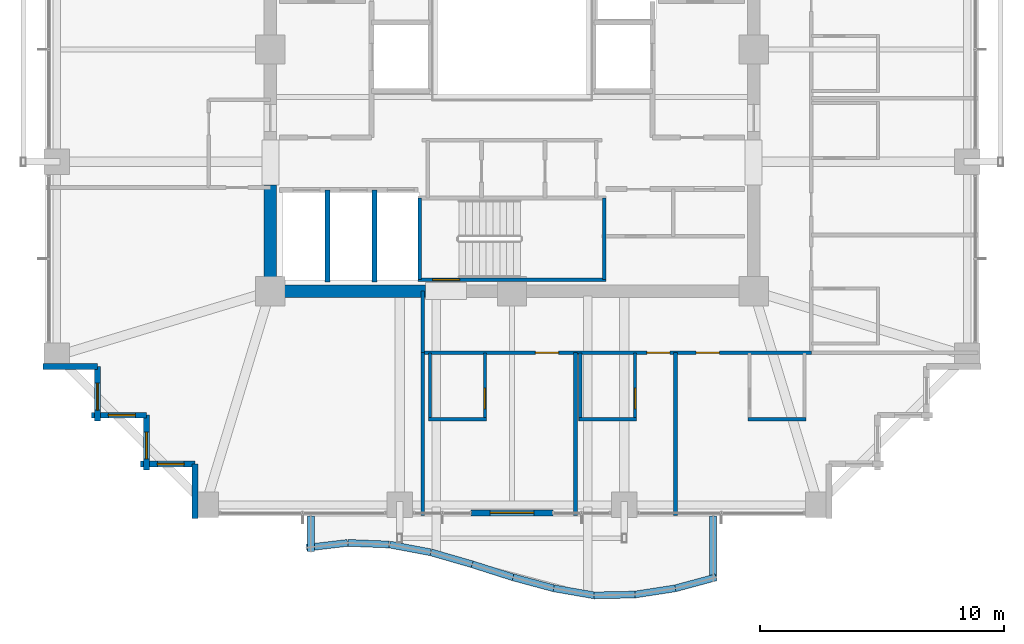
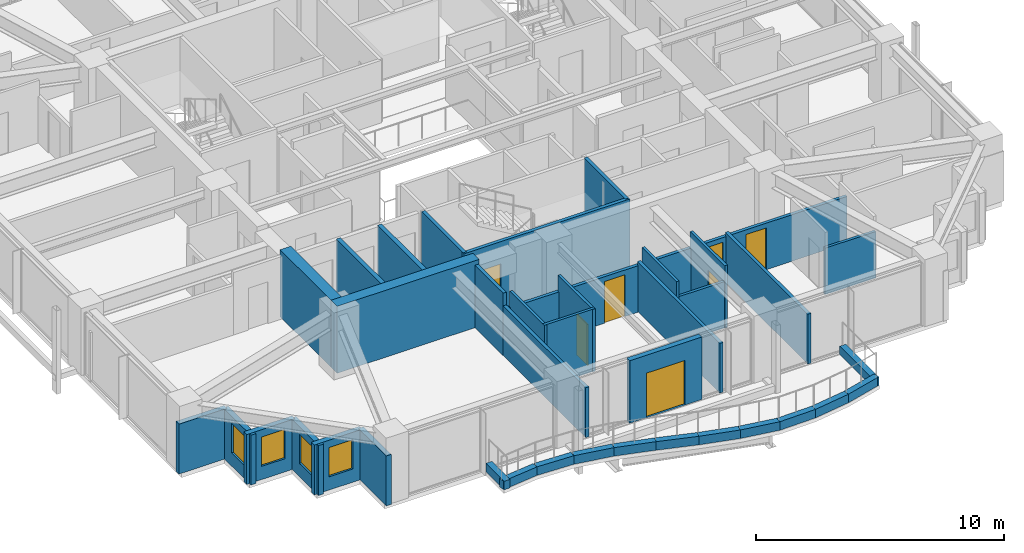
# One storey, part 27 of 34: 38 walls, 7 doors, 4 windows, 11 openings.
"""IFC4 building model written with IfcOpenShell, lengths in metres."""

from ifc_helpers import new_model, si_unit, direction, frame, frame_2d, origin, place, context, subcontext, project, spatial, rectangle, extrude, material, layer, layer_set, type_object, element, fill, save


model = new_model("IFC4")

# Units and contexts
model_context = context("Model", 3, precision=1e-05, world=origin(), true_north=direction((0.0, 1.0)))
body_context = subcontext(model_context, "Body", "Model", "MODEL_VIEW")
ifc_project = project(units=[si_unit("LENGTHUNIT", "METRE"), si_unit("AREAUNIT", "SQUARE_METRE"), si_unit("VOLUMEUNIT", "CUBIC_METRE"), si_unit("PLANEANGLEUNIT", "RADIAN"), si_unit("MASSUNIT", "GRAM", prefix="KILO")], contexts=[model_context])

# Site, building, storey
site_placement = place(None, origin())
site = spatial("IfcSite", under=ifc_project, at=site_placement, CompositionType="ELEMENT")
building_placement = place(site_placement, origin())
building = spatial("IfcBuilding", under=site, at=building_placement, Name="Kolvaren Belvedere", CompositionType="ELEMENT")
storey_placement = place(building_placement, frame((0.0, 0.0, 111.800048828125)))
storey = spatial("IfcBuildingStorey", under=building, at=storey_placement, Name="L32", CompositionType="ELEMENT", Elevation=111.800048828125)

# Walls
ifc_material_1 = material(Name="Concrete C50/60", Category="concrete")
ifc_layer_1 = layer(ifc_material_1, 0.5)
ifc_layer_set_1 = layer_set([ifc_layer_1], Name="Concrete C50/60")
wall_type_1 = type_object("IfcWallType", Name="CW-CORE-500", PredefinedType="SHEAR", material=ifc_layer_set_1)
wall_1_placement = place(storey_placement, frame((-3.5400390625, -9.89990234375, 0.0), z_axis=(0.0, 0.0, 1.0), x_axis=(-1.0, 0.0, 0.0)))
element("IfcWall", 1, at=wall_1_placement, inside=storey, type_object=wall_type_1, Name="L32 South Core Shear Wall 2", PredefinedType="SHEAR", context=body_context, shape_type="SweptSolid", body=[
    extrude(rectangle(XDim=6.60986328125, YDim=0.5, at=frame_2d((3.304931640625, 0.0))), origin(), (0.0, 0.0, 1.0), 3.300048828125),
])
wall_2_placement = place(storey_placement, frame((-9.89990234375, -9.64990234375, 0.0), z_axis=(0.0, 0.0, 1.0), x_axis=(0.0, 1.0, 0.0)))
element("IfcWall", 2, at=wall_2_placement, inside=storey, type_object=wall_type_1, Name="L32 West Core Shear Wall 1", PredefinedType="SHEAR", context=body_context, shape_type="SweptSolid", body=[
    extrude(rectangle(XDim=4.099853515625, YDim=0.5, at=frame_2d((2.0498046875, 0.0))), origin(), (0.0, 0.0, 1.0), 3.300048828125),
])

# Wall, opening, door
ifc_material_2 = material(Name="Concrete C50/60", Category="concrete")
ifc_layer_2 = layer(ifc_material_2, 0.159912109375)
ifc_layer_set_2 = layer_set([ifc_layer_2], Name="Concrete C50/60")
wall_type_2 = type_object("IfcWallType", Name="CW-STAIR-160", PredefinedType="SHEAR", material=ifc_layer_set_2)
wall_3_placement = place(storey_placement, frame((3.860107421875, -9.429931640625, 0.0), z_axis=(0.0, 0.0, 1.0), x_axis=(-1.0, 0.0, 0.0)))
wall_3 = element("IfcWall", 3, at=wall_3_placement, inside=storey, type_object=wall_type_2, Name="L32 Stair ST-3 South Shear Wall", PredefinedType="SHEAR", context=body_context, shape_type="SweptSolid", body=[
    extrude(rectangle(XDim=7.72021484375, YDim=0.159912109375, at=frame_2d((3.860107421875, 0.0))), origin(), (0.0, 0.0, 1.0), 3.300048828125),
])
opening_1_placement = place(wall_3_placement, frame((6.010009765625, 0.0, 0.0)))
opening_1 = element("IfcOpeningElement", 4, at=opening_1_placement, cuts=wall_3, Name="Opening D-FD90", PredefinedType="OPENING", context=body_context, shape_type="SweptSolid", body=[
    extrude(rectangle(XDim=1.10009765625, YDim=2.199951171875, at=frame_2d((0.550048828125, 1.10009765625))), frame((0.0, 0.08984375, 0.0), z_axis=(0.0, -1.0, 0.0), x_axis=(1.0, 0.0, 0.0)), (0.0, 0.0, 1.0), 0.179931640625),
])
ifc_material_3 = material(Name="Painted hollow stainless steel", Category="steel")
door_type_1 = type_object("IfcDoorType", Name="DR-FD90-1100", OperationType="NOTDEFINED", PredefinedType="DOOR", material=ifc_material_3)
door_1_placement = place(opening_1_placement, origin())
door_1 = element("IfcDoor", 5, at=door_1_placement, inside=storey, type_object=door_type_1, Name="L32 Stair ST-3 Exit Door", OperationType="SINGLE_SWING_RIGHT", OverallHeight=2.199951171875, OverallWidth=1.10009765625, PredefinedType="DOOR", context=body_context, shape_type="SweptSolid", body=[
    extrude(rectangle(XDim=1.10009765625, YDim=2.199951171875, at=frame_2d((0.550048828125, 1.10009765625))), frame((0.0, 0.02490234375, 0.0), z_axis=(0.0, -1.0, 0.0), x_axis=(1.0, 0.0, 0.0)), (0.0, 0.0, 1.0), 0.050048828125),
])
fill(opening_1, door_1)

# Walls
for number, where, z_axis, x_axis, name in (
    (6, (-3.780029296875, -9.429931640625, 0.0), (0.0, 0.0, 1.0), (0.0, 1.0, 0.0), "L32 Stair ST-3 West Shear Wall"),
    (7, (3.780029296875, -9.429931640625, 0.0), (0.0, 0.0, 1.0), (0.0, 1.0, 0.0), "L32 Stair ST-3 East Shear Wall"),
):
    element("IfcWall", number, at=place(storey_placement, frame(where, z_axis=z_axis, x_axis=x_axis)), inside=storey, type_object=wall_type_2, Name=name, PredefinedType="SHEAR", context=body_context, shape_type="SweptSolid", body=[
        extrude(rectangle(XDim=3.349853515625, YDim=0.159912109375, at=frame_2d((1.6748046875, 0.0))), origin(), (0.0, 0.0, 1.0), 3.300048828125),
    ])

# Wall, openings, doors
ifc_material_4 = material(Name="Gypsum fire-rated partition assembly", Category="gypsum")
ifc_layer_3 = layer(ifc_material_4, 0.14990234375)
ifc_layer_set_3 = layer_set([ifc_layer_3], Name="Gypsum fire-rated partition assembly")
wall_type_3 = type_object("IfcWallType", Name="WL-CORR-150", PredefinedType="PARTITIONING", material=ifc_layer_set_3)
wall_4_placement = place(storey_placement, frame((-3.64990234375, -12.419921875, 0.0), z_axis=(0.0, 0.0, 1.0), x_axis=(1.0, 0.0, 0.0)))
wall_4 = element("IfcWall", 8, at=wall_4_placement, inside=storey, type_object=wall_type_3, Name="L32 South-East Corridor Wall", PredefinedType="PARTITIONING", context=body_context, shape_type="SweptSolid", body=[
    extrude(rectangle(XDim=15.909912109375, YDim=0.14990234375, at=frame_2d((7.955078125, 0.0))), origin(), (0.0, 0.0, 1.0), 2.2919921875),
])
opening_2_placement = place(wall_4_placement, frame((4.61181640625, 0.0, 0.0)))
opening_2 = element("IfcOpeningElement", 9, at=opening_2_placement, cuts=wall_4, Name="Opening D-FD60", PredefinedType="OPENING", context=body_context, shape_type="SweptSolid", body=[
    extrude(rectangle(XDim=0.949951171875, YDim=2.06005859375, at=frame_2d((0.47509765625, 1.030029296875))), frame((0.0, 0.0849609375, 0.0), z_axis=(0.0, -1.0, 0.0), x_axis=(1.0, 0.0, 0.0)), (0.0, 0.0, 1.0), 0.169921875),
])
opening_3_placement = place(wall_4_placement, frame((9.17041015625, 0.0, 0.0)))
opening_3 = element("IfcOpeningElement", 10, at=opening_3_placement, cuts=wall_4, Name="Opening D-FD60", PredefinedType="OPENING", context=body_context, shape_type="SweptSolid", body=[
    extrude(rectangle(XDim=0.949951171875, YDim=2.06005859375, at=frame_2d((0.47509765625, 1.030029296875))), frame((0.0, 0.0849609375, 0.0), z_axis=(0.0, -1.0, 0.0), x_axis=(1.0, 0.0, 0.0)), (0.0, 0.0, 1.0), 0.169921875),
])
opening_4_placement = place(wall_4_placement, frame((11.191650390625, 0.0, 0.0)))
opening_4 = element("IfcOpeningElement", 11, at=opening_4_placement, cuts=wall_4, Name="Opening D-FD60", PredefinedType="OPENING", context=body_context, shape_type="SweptSolid", body=[
    extrude(rectangle(XDim=0.949951171875, YDim=2.06005859375, at=frame_2d((0.47509765625, 1.030029296875))), frame((0.0, 0.0849609375, 0.0), z_axis=(0.0, -1.0, 0.0), x_axis=(1.0, 0.0, 0.0)), (0.0, 0.0, 1.0), 0.169921875),
])
ifc_material_5 = material(Name="Acoustic white-oak fire door leaf", Category="timber")
door_type_2 = type_object("IfcDoorType", Name="DR-FD60-950", OperationType="NOTDEFINED", PredefinedType="DOOR", material=ifc_material_5)
door_2_placement = place(opening_2_placement, origin())
door_2 = element("IfcDoor", 12, at=door_2_placement, inside=storey, type_object=door_type_2, Name="L32 King Guest Room 3213 Entry Door", OperationType="SINGLE_SWING_RIGHT", OverallHeight=2.06005859375, OverallWidth=0.949951171875, PredefinedType="DOOR", context=body_context, shape_type="SweptSolid", body=[
    extrude(rectangle(XDim=0.949951171875, YDim=2.06005859375, at=frame_2d((0.47509765625, 1.030029296875))), frame((0.0, 0.02490234375, 0.0), z_axis=(0.0, -1.0, 0.0), x_axis=(1.0, 0.0, 0.0)), (0.0, 0.0, 1.0), 0.050048828125),
])
fill(opening_2, door_2)
door_3_placement = place(opening_3_placement, origin())
door_3 = element("IfcDoor", 13, at=door_3_placement, inside=storey, type_object=door_type_2, Name="L32 King Guest Room 3214 Entry Door", OperationType="SINGLE_SWING_RIGHT", OverallHeight=2.06005859375, OverallWidth=0.949951171875, PredefinedType="DOOR", context=body_context, shape_type="SweptSolid", body=[
    extrude(rectangle(XDim=0.949951171875, YDim=2.06005859375, at=frame_2d((0.47509765625, 1.030029296875))), frame((0.0, 0.02490234375, 0.0), z_axis=(0.0, -1.0, 0.0), x_axis=(1.0, 0.0, 0.0)), (0.0, 0.0, 1.0), 0.050048828125),
])
fill(opening_3, door_3)
door_4_placement = place(opening_4_placement, origin())
door_4 = element("IfcDoor", 14, at=door_4_placement, inside=storey, type_object=door_type_2, Name="L32 Botanical Hospitality Suite 3215 Entry Door", OperationType="SINGLE_SWING_RIGHT", OverallHeight=2.06005859375, OverallWidth=0.949951171875, PredefinedType="DOOR", context=body_context, shape_type="SweptSolid", body=[
    extrude(rectangle(XDim=0.949951171875, YDim=2.06005859375, at=frame_2d((0.47509765625, 1.030029296875))), frame((0.0, 0.02490234375, 0.0), z_axis=(0.0, -1.0, 0.0), x_axis=(1.0, 0.0, 0.0)), (0.0, 0.0, 1.0), 0.050048828125),
])
fill(opening_4, door_4)

# Wall
wall_5_placement = place(storey_placement, frame((-3.64990234375, -12.419921875, 0.0), z_axis=(0.0, 0.0, 1.0), x_axis=(0.0, 1.0, 0.0)))
element("IfcWall", 15, at=wall_5_placement, inside=storey, type_object=wall_type_3, Name="L32 South Spur West Closure Wall", PredefinedType="PARTITIONING", context=body_context, shape_type="SweptSolid", body=[
    extrude(rectangle(XDim=2.52001953125, YDim=0.14990234375, at=frame_2d((1.260009765625, 0.0))), origin(), (0.0, 0.0, 1.0), 3.079833984375),
])

# Wall, opening, door
ifc_material_6 = material(Name="Insulated pale-metal facade wall assembly", Category="aluminium")
ifc_layer_4 = layer(ifc_material_6, 0.239990234375)
ifc_layer_set_4 = layer_set([ifc_layer_4], Name="Insulated pale-metal facade wall assembly")
wall_type_4 = type_object("IfcWallType", Name="WL-EXT-240", PredefinedType="STANDARD", material=ifc_layer_set_4)
wall_6_placement = place(storey_placement, frame((1.679931640625, -18.97998046875, 0.0), z_axis=(0.0, 0.0, 1.0), x_axis=(-1.0, 0.0, 0.0)))
wall_6 = element("IfcWall", 16, at=wall_6_placement, inside=storey, type_object=wall_type_4, Name="L32 South Terrace Portal Wall", PredefinedType="STANDARD", context=body_context, shape_type="SweptSolid", body=[
    extrude(rectangle(XDim=3.35986328125, YDim=0.239990234375, at=frame_2d((1.679931640625, 0.0))), origin(), (0.0, 0.0, 1.0), 3.079833984375),
])
opening_5_placement = place(wall_6_placement, frame((0.780029296875, 0.0, 0.0)))
opening_5 = element("IfcOpeningElement", 17, at=opening_5_placement, cuts=wall_6, Name="Opening DB-1800", PredefinedType="OPENING", context=body_context, shape_type="SweptSolid", body=[
    extrude(rectangle(XDim=1.800048828125, YDim=2.199951171875, at=frame_2d((0.89990234375, 1.10009765625))), frame((0.0, 0.1298828125, 0.0), z_axis=(0.0, -1.0, 0.0), x_axis=(1.0, 0.0, 0.0)), (0.0, 0.0, 1.0), 0.260009765625),
])
ifc_material_7 = material(Name="Thermally broken pale-metal aluminium & low-iron glass", Category="aluminium")
door_type_3 = type_object("IfcDoorType", Name="DR-BAL-1800", OperationType="DOUBLE_DOOR_SLIDING", PredefinedType="DOOR", material=ifc_material_7)
door_5_placement = place(opening_5_placement, origin())
door_5 = element("IfcDoor", 18, at=door_5_placement, inside=storey, type_object=door_type_3, Name="L32 South Planted Terrace Sliding Door", OperationType="DOUBLE_DOOR_SLIDING", OverallHeight=2.199951171875, OverallWidth=1.800048828125, PredefinedType="DOOR", context=body_context, shape_type="SweptSolid", body=[
    extrude(rectangle(XDim=1.800048828125, YDim=2.199951171875, at=frame_2d((0.89990234375, 1.10009765625))), frame((0.0, 0.02490234375, 0.0), z_axis=(0.0, -1.0, 0.0), x_axis=(1.0, 0.0, 0.0)), (0.0, 0.0, 1.0), 0.050048828125),
])
fill(opening_5, door_5)

# Wall
wall_7_placement = place(storey_placement, frame((-16.97998046875, -12.97998046875, 0.0), z_axis=(0.0, 0.0, 1.0), x_axis=(-1.0, 0.0, 0.0)))
element("IfcWall", 19, at=wall_7_placement, inside=storey, type_object=wall_type_4, Name="L32 Serrated Corner Facade Wall 23", PredefinedType="STANDARD", context=body_context, shape_type="SweptSolid", body=[
    extrude(rectangle(XDim=2.239990234375, YDim=0.239990234375, at=frame_2d((1.1201171875, 0.0))), origin(), (0.0, 0.0, 1.0), 2.458984375),
])

# Wall, opening, window
wall_8_placement = place(storey_placement, frame((-16.97998046875, -15.219970703125, 0.0), z_axis=(0.0, 0.0, 1.0), x_axis=(0.0, 1.0, 0.0)))
wall_8 = element("IfcWall", 20, at=wall_8_placement, inside=storey, type_object=wall_type_4, Name="L32 Serrated Corner Facade Wall 24", PredefinedType="STANDARD", context=body_context, shape_type="SweptSolid", body=[
    extrude(rectangle(XDim=2.239990234375, YDim=0.239990234375, at=frame_2d((1.1201171875, 0.0))), origin(), (0.0, 0.0, 1.0), 2.458984375),
])
opening_6_placement = place(wall_8_placement, frame((0.449951171875, 0.0, 0.64990234375)))
opening_6 = element("IfcOpeningElement", 21, at=opening_6_placement, cuts=wall_8, Name="Opening W-1100", PredefinedType="OPENING", context=body_context, shape_type="SweptSolid", body=[
    extrude(rectangle(XDim=1.10009765625, YDim=1.449951171875, at=frame_2d((0.550048828125, 0.72509765625))), frame((0.0, 0.1298828125, 0.0), z_axis=(0.0, -1.0, 0.0), x_axis=(1.0, 0.0, 0.0)), (0.0, 0.0, 1.0), 0.260009765625),
])
ifc_material_8 = material(Name="Low-iron triple insulated glass", Category="glass")
window_type = type_object("IfcWindowType", Name="WN-CORN-1100", PartitioningType="SINGLE_PANEL", PredefinedType="WINDOW", material=ifc_material_8)
window_1_placement = place(opening_6_placement, origin())
window_1 = element("IfcWindow", 22, at=window_1_placement, inside=storey, type_object=window_type, Name="L32 Serrated Corner Vision Window 24", OverallHeight=1.449951171875, OverallWidth=1.10009765625, PartitioningType="SINGLE_PANEL", PredefinedType="WINDOW", context=body_context, shape_type="SweptSolid", body=[
    extrude(rectangle(XDim=1.10009765625, YDim=1.449951171875, at=frame_2d((0.550048828125, 0.72509765625))), frame((0.0, 0.030029296875, 0.0), z_axis=(0.0, -1.0, 0.0), x_axis=(1.0, 0.0, 0.0)), (0.0, 0.0, 1.0), 0.06005859375),
])
fill(opening_6, window_1)

wall_9_placement = place(storey_placement, frame((-14.97998046875, -14.97998046875, 0.0), z_axis=(0.0, 0.0, 1.0), x_axis=(-1.0, 0.0, 0.0)))
wall_9 = element("IfcWall", 23, at=wall_9_placement, inside=storey, type_object=wall_type_4, Name="L32 Serrated Corner Facade Wall 25", PredefinedType="STANDARD", context=body_context, shape_type="SweptSolid", body=[
    extrude(rectangle(XDim=2.239990234375, YDim=0.239990234375, at=frame_2d((1.1201171875, 0.0))), origin(), (0.0, 0.0, 1.0), 2.458984375),
])
opening_7_placement = place(wall_9_placement, frame((0.449951171875, 0.0, 0.64990234375)))
opening_7 = element("IfcOpeningElement", 24, at=opening_7_placement, cuts=wall_9, Name="Opening W-1100", PredefinedType="OPENING", context=body_context, shape_type="SweptSolid", body=[
    extrude(rectangle(XDim=1.10009765625, YDim=1.449951171875, at=frame_2d((0.550048828125, 0.72509765625))), frame((0.0, 0.1298828125, 0.0), z_axis=(0.0, -1.0, 0.0), x_axis=(1.0, 0.0, 0.0)), (0.0, 0.0, 1.0), 0.260009765625),
])
window_2_placement = place(opening_7_placement, origin())
window_2 = element("IfcWindow", 25, at=window_2_placement, inside=storey, type_object=window_type, Name="L32 Serrated Corner Vision Window 25", OverallHeight=1.449951171875, OverallWidth=1.10009765625, PartitioningType="SINGLE_PANEL", PredefinedType="WINDOW", context=body_context, shape_type="SweptSolid", body=[
    extrude(rectangle(XDim=1.10009765625, YDim=1.449951171875, at=frame_2d((0.550048828125, 0.72509765625))), frame((0.0, 0.030029296875, 0.0), z_axis=(0.0, -1.0, 0.0), x_axis=(1.0, 0.0, 0.0)), (0.0, 0.0, 1.0), 0.06005859375),
])
fill(opening_7, window_2)

wall_10_placement = place(storey_placement, frame((-14.97998046875, -17.219970703125, 0.0), z_axis=(0.0, 0.0, 1.0), x_axis=(0.0, 1.0, 0.0)))
wall_10 = element("IfcWall", 26, at=wall_10_placement, inside=storey, type_object=wall_type_4, Name="L32 Serrated Corner Facade Wall 26", PredefinedType="STANDARD", context=body_context, shape_type="SweptSolid", body=[
    extrude(rectangle(XDim=2.239990234375, YDim=0.239990234375, at=frame_2d((1.1201171875, 0.0))), origin(), (0.0, 0.0, 1.0), 2.458984375),
])
opening_8_placement = place(wall_10_placement, frame((0.449951171875, 0.0, 0.64990234375)))
opening_8 = element("IfcOpeningElement", 27, at=opening_8_placement, cuts=wall_10, Name="Opening W-1100", PredefinedType="OPENING", context=body_context, shape_type="SweptSolid", body=[
    extrude(rectangle(XDim=1.10009765625, YDim=1.449951171875, at=frame_2d((0.550048828125, 0.72509765625))), frame((0.0, 0.1298828125, 0.0), z_axis=(0.0, -1.0, 0.0), x_axis=(1.0, 0.0, 0.0)), (0.0, 0.0, 1.0), 0.260009765625),
])
window_3_placement = place(opening_8_placement, origin())
window_3 = element("IfcWindow", 28, at=window_3_placement, inside=storey, type_object=window_type, Name="L32 Serrated Corner Vision Window 26", OverallHeight=1.449951171875, OverallWidth=1.10009765625, PartitioningType="SINGLE_PANEL", PredefinedType="WINDOW", context=body_context, shape_type="SweptSolid", body=[
    extrude(rectangle(XDim=1.10009765625, YDim=1.449951171875, at=frame_2d((0.550048828125, 0.72509765625))), frame((0.0, 0.030029296875, 0.0), z_axis=(0.0, -1.0, 0.0), x_axis=(1.0, 0.0, 0.0)), (0.0, 0.0, 1.0), 0.06005859375),
])
fill(opening_8, window_3)

wall_11_placement = place(storey_placement, frame((-12.97998046875, -16.97998046875, 0.0), z_axis=(0.0, 0.0, 1.0), x_axis=(-1.0, 0.0, 0.0)))
wall_11 = element("IfcWall", 29, at=wall_11_placement, inside=storey, type_object=wall_type_4, Name="L32 Serrated Corner Facade Wall 27", PredefinedType="STANDARD", context=body_context, shape_type="SweptSolid", body=[
    extrude(rectangle(XDim=2.239990234375, YDim=0.239990234375, at=frame_2d((1.1201171875, 0.0))), origin(), (0.0, 0.0, 1.0), 2.458984375),
])
opening_9_placement = place(wall_11_placement, frame((0.449951171875, 0.0, 0.64990234375)))
opening_9 = element("IfcOpeningElement", 30, at=opening_9_placement, cuts=wall_11, Name="Opening W-1100", PredefinedType="OPENING", context=body_context, shape_type="SweptSolid", body=[
    extrude(rectangle(XDim=1.10009765625, YDim=1.449951171875, at=frame_2d((0.550048828125, 0.72509765625))), frame((0.0, 0.1298828125, 0.0), z_axis=(0.0, -1.0, 0.0), x_axis=(1.0, 0.0, 0.0)), (0.0, 0.0, 1.0), 0.260009765625),
])
window_4_placement = place(opening_9_placement, origin())
window_4 = element("IfcWindow", 31, at=window_4_placement, inside=storey, type_object=window_type, Name="L32 Serrated Corner Vision Window 27", OverallHeight=1.449951171875, OverallWidth=1.10009765625, PartitioningType="SINGLE_PANEL", PredefinedType="WINDOW", context=body_context, shape_type="SweptSolid", body=[
    extrude(rectangle(XDim=1.10009765625, YDim=1.449951171875, at=frame_2d((0.550048828125, 0.72509765625))), frame((0.0, 0.030029296875, 0.0), z_axis=(0.0, -1.0, 0.0), x_axis=(1.0, 0.0, 0.0)), (0.0, 0.0, 1.0), 0.06005859375),
])
fill(opening_9, window_4)

# Walls
wall_12_placement = place(storey_placement, frame((-12.97998046875, -19.219970703125, 0.0), z_axis=(0.0, 0.0, 1.0), x_axis=(0.0, 1.0, 0.0)))
element("IfcWall", 32, at=wall_12_placement, inside=storey, type_object=wall_type_4, Name="L32 Serrated Corner Facade Wall 28", PredefinedType="STANDARD", context=body_context, shape_type="SweptSolid", body=[
    extrude(rectangle(XDim=2.239990234375, YDim=0.239990234375, at=frame_2d((1.1201171875, 0.0))), origin(), (0.0, 0.0, 1.0), 2.458984375),
])
ifc_material_9 = material(Name="Gypsum acoustic partition assembly", Category="gypsum")
ifc_layer_5 = layer(ifc_material_9, 0.14990234375)
ifc_layer_set_5 = layer_set([ifc_layer_5], Name="Gypsum acoustic partition assembly")
wall_type_5 = type_object("IfcWallType", Name="WL-PART-150", PredefinedType="PARTITIONING", material=ifc_layer_set_5)
for number, where, z_axis, x_axis, name in (
    (33, (-3.64990234375, -19.080078125, 0.0), (0.0, 0.0, 1.0), (0.0, 1.0, 0.0), "L32 South Mid-West Wall"),
    (34, (2.60009765625, -19.080078125, 0.0), (0.0, 0.0, 1.0), (0.0, 1.0, 0.0), "L32 South-East Suite Divider 1"),
    (35, (6.699951171875, -19.080078125, 0.0), (0.0, 0.0, 1.0), (0.0, 1.0, 0.0), "L32 South-East Suite Divider 2"),
):
    element("IfcWall", number, at=place(storey_placement, frame(where, z_axis=z_axis, x_axis=x_axis)), inside=storey, type_object=wall_type_5, Name=name, PredefinedType="PARTITIONING", context=body_context, shape_type="SweptSolid", body=[
        extrude(rectangle(XDim=6.66015625, YDim=0.14990234375, at=frame_2d((3.330078125, 0.0))), origin(), (0.0, 0.0, 1.0), 2.448974609375),
    ])
ifc_material_10 = material(Name="Precast concrete C40/50", Category="concrete")
ifc_layer_6 = layer(ifc_material_10, 0.300048828125)
ifc_layer_set_6 = layer_set([ifc_layer_6], Name="Precast concrete C40/50")
wall_type_6 = type_object("IfcWallType", Name="WL-PLANTER-300", PredefinedType="PARAPET", material=ifc_layer_set_6)
wall_13_placement = place(storey_placement, frame((-8.418701171875, -20.407470703125, -0.0400390625), z_axis=(0.0, 0.0, 1.0), x_axis=(0.993142720498, 0.116908240605, 0.0)))
element("IfcWall", 36, at=wall_13_placement, inside=storey, type_object=wall_type_6, Name="L32 Precast Structural Planter Wall BAL-S-1", PredefinedType="PARAPET", context=body_context, shape_type="SweptSolid", body=[
    extrude(rectangle(XDim=1.691650390625, YDim=0.280029296875, at=frame_2d((0.845703125, 0.0))), origin(), (0.0, 0.0, 1.0), 0.419921875),
])
wall_14_placement = place(storey_placement, frame((-6.713623046875, -20.20849609375, -0.0400390625), z_axis=(0.0, 0.0, 1.0), x_axis=(0.999196545286, -0.040078222133, 0.0)))
element("IfcWall", 37, at=wall_14_placement, inside=storey, type_object=wall_type_6, Name="L32 Precast Structural Planter Wall BAL-S-2", PredefinedType="PARAPET", context=body_context, shape_type="SweptSolid", body=[
    extrude(rectangle(XDim=1.681396484375, YDim=0.280029296875, at=frame_2d((0.8408203125, 0.0))), origin(), (0.0, 0.0, 1.0), 0.419921875),
])
wall_15_placement = place(storey_placement, frame((-5.010498046875, -20.278564453125, -0.0400390625), z_axis=(0.0, 0.0, 1.0), x_axis=(0.982778293957, -0.184788595231, 0.0)))
element("IfcWall", 38, at=wall_15_placement, inside=storey, type_object=wall_type_6, Name="L32 Precast Structural Planter Wall BAL-S-3", PredefinedType="PARAPET", context=body_context, shape_type="SweptSolid", body=[
    extrude(rectangle(XDim=1.709716796875, YDim=0.280029296875, at=frame_2d((0.85498046875, 0.0))), origin(), (0.0, 0.0, 1.0), 0.419921875),
])
wall_16_placement = place(storey_placement, frame((-3.3154296875, -20.597900390625, -0.0400390625), z_axis=(0.0, 0.0, 1.0), x_axis=(0.96059663827, -0.277946215201, 0.0)))
element("IfcWall", 39, at=wall_16_placement, inside=storey, type_object=wall_type_6, Name="L32 Precast Structural Planter Wall BAL-S-4", PredefinedType="PARAPET", context=body_context, shape_type="SweptSolid", body=[
    extrude(rectangle(XDim=1.748779296875, YDim=0.280029296875, at=frame_2d((0.87451171875, 0.0))), origin(), (0.0, 0.0, 1.0), 0.419921875),
])
wall_17_placement = place(storey_placement, frame((-1.63134765625, -21.085205078125, -0.0400390625), z_axis=(0.0, 0.0, 1.0), x_axis=(0.952661770826, -0.304032153573, 0.0)))
element("IfcWall", 40, at=wall_17_placement, inside=storey, type_object=wall_type_6, Name="L32 Precast Structural Planter Wall BAL-S-5", PredefinedType="PARAPET", context=body_context, shape_type="SweptSolid", body=[
    extrude(rectangle(XDim=1.763427734375, YDim=0.280029296875, at=frame_2d((0.8818359375, 0.0))), origin(), (0.0, 0.0, 1.0), 0.419921875),
])
wall_18_placement = place(storey_placement, frame((0.041748046875, -21.619140625, -0.0400390625), z_axis=(0.0, 0.0, 1.0), x_axis=(0.965424492388, -0.260682852326, 0.0)))
element("IfcWall", 41, at=wall_18_placement, inside=storey, type_object=wall_type_6, Name="L32 Precast Structural Planter Wall BAL-S-6", PredefinedType="PARAPET", context=body_context, shape_type="SweptSolid", body=[
    extrude(rectangle(XDim=1.739990234375, YDim=0.280029296875, at=frame_2d((0.8701171875, 0.0))), origin(), (0.0, 0.0, 1.0), 0.419921875),
])
wall_19_placement = place(storey_placement, frame((1.70751953125, -22.069580078125, -0.0400390625), z_axis=(0.0, 0.0, 1.0), x_axis=(0.985156010777, -0.171661394699, 0.0)))
element("IfcWall", 42, at=wall_19_placement, inside=storey, type_object=wall_type_6, Name="L32 Precast Structural Planter Wall BAL-S-7", PredefinedType="PARAPET", context=body_context, shape_type="SweptSolid", body=[
    extrude(rectangle(XDim=1.705322265625, YDim=0.280029296875, at=frame_2d((0.8525390625, 0.0))), origin(), (0.0, 0.0, 1.0), 0.419921875),
])
wall_20_placement = place(storey_placement, frame((3.356689453125, -22.360107421875, -0.0400390625), z_axis=(0.0, 0.0, 1.0), x_axis=(0.99979609052, 0.020193498486, 0.0)))
element("IfcWall", 43, at=wall_20_placement, inside=storey, type_object=wall_type_6, Name="L32 Precast Structural Planter Wall BAL-S-8", PredefinedType="PARAPET", context=body_context, shape_type="SweptSolid", body=[
    extrude(rectangle(XDim=1.680419921875, YDim=0.280029296875, at=frame_2d((0.84033203125, 0.0))), origin(), (0.0, 0.0, 1.0), 0.419921875),
])
wall_21_placement = place(storey_placement, frame((5.015625, -22.327880859375, -0.0400390625), z_axis=(0.0, 0.0, 1.0), x_axis=(0.988341789514, 0.152251460091, 0.0)))
element("IfcWall", 44, at=wall_21_placement, inside=storey, type_object=wall_type_6, Name="L32 Precast Structural Planter Wall BAL-S-9", PredefinedType="PARAPET", context=body_context, shape_type="SweptSolid", body=[
    extrude(rectangle(XDim=1.69970703125, YDim=0.280029296875, at=frame_2d((0.849853515625, 0.0))), origin(), (0.0, 0.0, 1.0), 0.419921875),
])
wall_22_placement = place(storey_placement, frame((6.67822265625, -22.07275390625, -0.0400390625), z_axis=(0.0, 0.0, 1.0), x_axis=(0.965434024814, 0.260647546949, 0.0)))
element("IfcWall", 45, at=wall_22_placement, inside=storey, type_object=wall_type_6, Name="L32 Precast Structural Planter Wall BAL-S-10", PredefinedType="PARAPET", context=body_context, shape_type="SweptSolid", body=[
    extrude(rectangle(XDim=1.740234375, YDim=0.280029296875, at=frame_2d((0.8701171875, 0.0))), origin(), (0.0, 0.0, 1.0), 0.419921875),
])
wall_23_placement = place(storey_placement, frame((8.239990234375, -21.773681640625, -0.0400390625), z_axis=(0.0, 0.0, 1.0), x_axis=(0.0, 1.0, 0.0)))
element("IfcWall", 46, at=wall_23_placement, inside=storey, type_object=wall_type_6, Name="L32 Precast Structural Planter Wall BAL-S-11", PredefinedType="PARAPET", context=body_context, shape_type="SweptSolid", body=[
    extrude(rectangle(XDim=2.673583984375, YDim=0.280029296875, at=frame_2d((1.3369140625, 0.0))), origin(), (0.0, 0.0, 1.0), 0.419921875),
])
wall_24_placement = place(storey_placement, frame((-8.239990234375, -19.10009765625, -0.0400390625), z_axis=(0.0, 0.0, 1.0), x_axis=(0.0, -1.0, 0.0)))
element("IfcWall", 47, at=wall_24_placement, inside=storey, type_object=wall_type_6, Name="L32 Precast Structural Planter Wall BAL-S-22", PredefinedType="PARAPET", context=body_context, shape_type="SweptSolid", body=[
    extrude(rectangle(XDim=1.46630859375, YDim=0.280029296875, at=frame_2d((0.733154296875, 0.0))), origin(), (0.0, 0.0, 1.0), 0.419921875),
])
ifc_material_11 = material(Name="Concrete C50/60", Category="concrete")
ifc_layer_7 = layer(ifc_material_11, 0.199951171875)
ifc_layer_set_7 = layer_set([ifc_layer_7], Name="Concrete C50/60")
wall_type_7 = type_object("IfcWallType", Name="WL-SHAFT-200", PredefinedType="SOLIDWALL", material=ifc_layer_set_7)
for number, where, z_axis, x_axis, name in (
    (48, (-7.56005859375, -9.52001953125, 0.0), (0.0, 0.0, 1.0), (0.0, 1.0, 0.0), "L32 Mid-Rise Hoistway Divider 1"),
    (49, (-5.6298828125, -9.52001953125, 0.0), (0.0, 0.0, 1.0), (0.0, 1.0, 0.0), "L32 Mid-Rise Hoistway Divider 2"),
):
    element("IfcWall", number, at=place(storey_placement, frame(where, z_axis=z_axis, x_axis=x_axis)), inside=storey, type_object=wall_type_7, Name=name, PredefinedType="SOLIDWALL", context=body_context, shape_type="SweptSolid", body=[
        extrude(rectangle(XDim=3.77001953125, YDim=0.199951171875, at=frame_2d((1.885009765625, 0.0))), origin(), (0.0, 0.0, 1.0), 3.079833984375),
    ])

# Wall, opening, door
ifc_material_12 = material(Name="Moisture-resistant gypsum partition", Category="gypsum")
ifc_layer_8 = layer(ifc_material_12, 0.125)
ifc_layer_set_8 = layer_set([ifc_layer_8], Name="Moisture-resistant gypsum partition")
wall_type_8 = type_object("IfcWallType", Name="WL-WET-125", PredefinedType="PARTITIONING", material=ifc_layer_set_8)
wall_25_placement = place(storey_placement, frame((-1.114013671875, -15.22509765625, 0.0), z_axis=(0.0, 0.0, 1.0), x_axis=(0.0, 1.0, 0.0)))
wall_25 = element("IfcWall", 50, at=wall_25_placement, inside=storey, type_object=wall_type_8, Name="L32 Bathroom Partition PW-L32-BTH-13-E", PredefinedType="PARTITIONING", context=body_context, shape_type="SweptSolid", body=[
    extrude(rectangle(XDim=2.7900390625, YDim=0.125, at=frame_2d((1.39501953125, 0.0))), origin(), (0.0, 0.0, 1.0), 3.079833984375),
])
opening_10_placement = place(wall_25_placement, frame((0.5, 0.0, 0.0)))
opening_10 = element("IfcOpeningElement", 51, at=opening_10_placement, cuts=wall_25, Name="Opening D-BTH85", PredefinedType="OPENING", context=body_context, shape_type="SweptSolid", body=[
    extrude(rectangle(XDim=0.85009765625, YDim=2.030029296875, at=frame_2d((0.425048828125, 1.01513671875))), frame((0.0, 0.072509765625, 0.0), z_axis=(0.0, -1.0, 0.0), x_axis=(1.0, 0.0, 0.0)), (0.0, 0.0, 1.0), 0.14501953125),
])
ifc_material_13 = material(Name="Moisture-sealed Pacific white oak", Category="timber")
door_type_4 = type_object("IfcDoorType", Name="DR-BATH-850", OperationType="NOTDEFINED", PredefinedType="DOOR", material=ifc_material_13)
door_6_placement = place(opening_10_placement, origin())
door_6 = element("IfcDoor", 52, at=door_6_placement, inside=storey, type_object=door_type_4, Name="L32 En-Suite Bathroom 3213 Door", OperationType="SINGLE_SWING_LEFT", OverallHeight=2.030029296875, OverallWidth=0.85009765625, PredefinedType="DOOR", context=body_context, shape_type="SweptSolid", body=[
    extrude(rectangle(XDim=0.85009765625, YDim=2.030029296875, at=frame_2d((0.425048828125, 1.01513671875))), frame((0.0, 0.02490234375, 0.0), z_axis=(0.0, -1.0, 0.0), x_axis=(1.0, 0.0, 0.0)), (0.0, 0.0, 1.0), 0.050048828125),
])
fill(opening_10, door_6)

# Walls
wall_26_placement = place(storey_placement, frame((-3.424072265625, -15.14501953125, 0.0), z_axis=(0.0, 0.0, 1.0), x_axis=(1.0, 0.0, 0.0)))
element("IfcWall", 53, at=wall_26_placement, inside=storey, type_object=wall_type_8, Name="L32 Bathroom Partition PW-L32-BTH-13-H", PredefinedType="PARTITIONING", context=body_context, shape_type="SweptSolid", body=[
    extrude(rectangle(XDim=2.3701171875, YDim=0.125, at=frame_2d((1.18505859375, 0.0))), origin(), (0.0, 0.0, 1.0), 3.079833984375),
])
wall_27_placement = place(storey_placement, frame((-3.364013671875, -15.22509765625, 0.0), z_axis=(0.0, 0.0, 1.0), x_axis=(0.0, 1.0, 0.0)))
element("IfcWall", 54, at=wall_27_placement, inside=storey, type_object=wall_type_8, Name="L32 Bathroom Partition PW-L32-BTH-13-W", PredefinedType="PARTITIONING", context=body_context, shape_type="SweptSolid", body=[
    extrude(rectangle(XDim=2.7900390625, YDim=0.125, at=frame_2d((1.39501953125, 0.0))), origin(), (0.0, 0.0, 1.0), 3.079833984375),
])

# Wall, opening, door
wall_28_placement = place(storey_placement, frame((5.044921875, -15.22509765625, 0.0), z_axis=(0.0, 0.0, 1.0), x_axis=(0.0, 1.0, 0.0)))
wall_28 = element("IfcWall", 55, at=wall_28_placement, inside=storey, type_object=wall_type_8, Name="L32 Bathroom Partition PW-L32-BTH-14-E", PredefinedType="PARTITIONING", context=body_context, shape_type="SweptSolid", body=[
    extrude(rectangle(XDim=2.7900390625, YDim=0.125, at=frame_2d((1.39501953125, 0.0))), origin(), (0.0, 0.0, 1.0), 3.079833984375),
])
opening_11_placement = place(wall_28_placement, frame((0.5, 0.0, 0.0)))
opening_11 = element("IfcOpeningElement", 56, at=opening_11_placement, cuts=wall_28, Name="Opening D-BTH85", PredefinedType="OPENING", context=body_context, shape_type="SweptSolid", body=[
    extrude(rectangle(XDim=0.85009765625, YDim=2.030029296875, at=frame_2d((0.425048828125, 1.01513671875))), frame((0.0, 0.072509765625, 0.0), z_axis=(0.0, -1.0, 0.0), x_axis=(1.0, 0.0, 0.0)), (0.0, 0.0, 1.0), 0.14501953125),
])
door_7_placement = place(opening_11_placement, origin())
door_7 = element("IfcDoor", 57, at=door_7_placement, inside=storey, type_object=door_type_4, Name="L32 En-Suite Bathroom 3214 Door", OperationType="SINGLE_SWING_LEFT", OverallHeight=2.030029296875, OverallWidth=0.85009765625, PredefinedType="DOOR", context=body_context, shape_type="SweptSolid", body=[
    extrude(rectangle(XDim=0.85009765625, YDim=2.030029296875, at=frame_2d((0.425048828125, 1.01513671875))), frame((0.0, 0.02490234375, 0.0), z_axis=(0.0, -1.0, 0.0), x_axis=(1.0, 0.0, 0.0)), (0.0, 0.0, 1.0), 0.050048828125),
])
fill(opening_11, door_7)

# Walls
wall_29_placement = place(storey_placement, frame((2.735107421875, -15.14501953125, 0.0), z_axis=(0.0, 0.0, 1.0), x_axis=(1.0, 0.0, 0.0)))
element("IfcWall", 58, at=wall_29_placement, inside=storey, type_object=wall_type_8, Name="L32 Bathroom Partition PW-L32-BTH-14-H", PredefinedType="PARTITIONING", context=body_context, shape_type="SweptSolid", body=[
    extrude(rectangle(XDim=2.369873046875, YDim=0.125, at=frame_2d((1.18505859375, 0.0))), origin(), (0.0, 0.0, 1.0), 2.2919921875),
])
wall_30_placement = place(storey_placement, frame((2.794921875, -15.22509765625, 0.0), z_axis=(0.0, 0.0, 1.0), x_axis=(0.0, 1.0, 0.0)))
element("IfcWall", 59, at=wall_30_placement, inside=storey, type_object=wall_type_8, Name="L32 Bathroom Partition PW-L32-BTH-14-W", PredefinedType="PARTITIONING", context=body_context, shape_type="SweptSolid", body=[
    extrude(rectangle(XDim=2.7900390625, YDim=0.125, at=frame_2d((1.39501953125, 0.0))), origin(), (0.0, 0.0, 1.0), 3.079833984375),
])
wall_31_placement = place(storey_placement, frame((9.6640625, -15.14501953125, 0.0), z_axis=(0.0, 0.0, 1.0), x_axis=(1.0, 0.0, 0.0)))
element("IfcWall", 60, at=wall_31_placement, inside=storey, type_object=wall_type_8, Name="L32 Bathroom Partition PW-L32-BTH-15-H", PredefinedType="PARTITIONING", context=body_context, shape_type="SweptSolid", body=[
    extrude(rectangle(XDim=2.369873046875, YDim=0.125, at=frame_2d((1.18505859375, 0.0))), origin(), (0.0, 0.0, 1.0), 2.2919921875),
])

save(model, "model.ifc")
